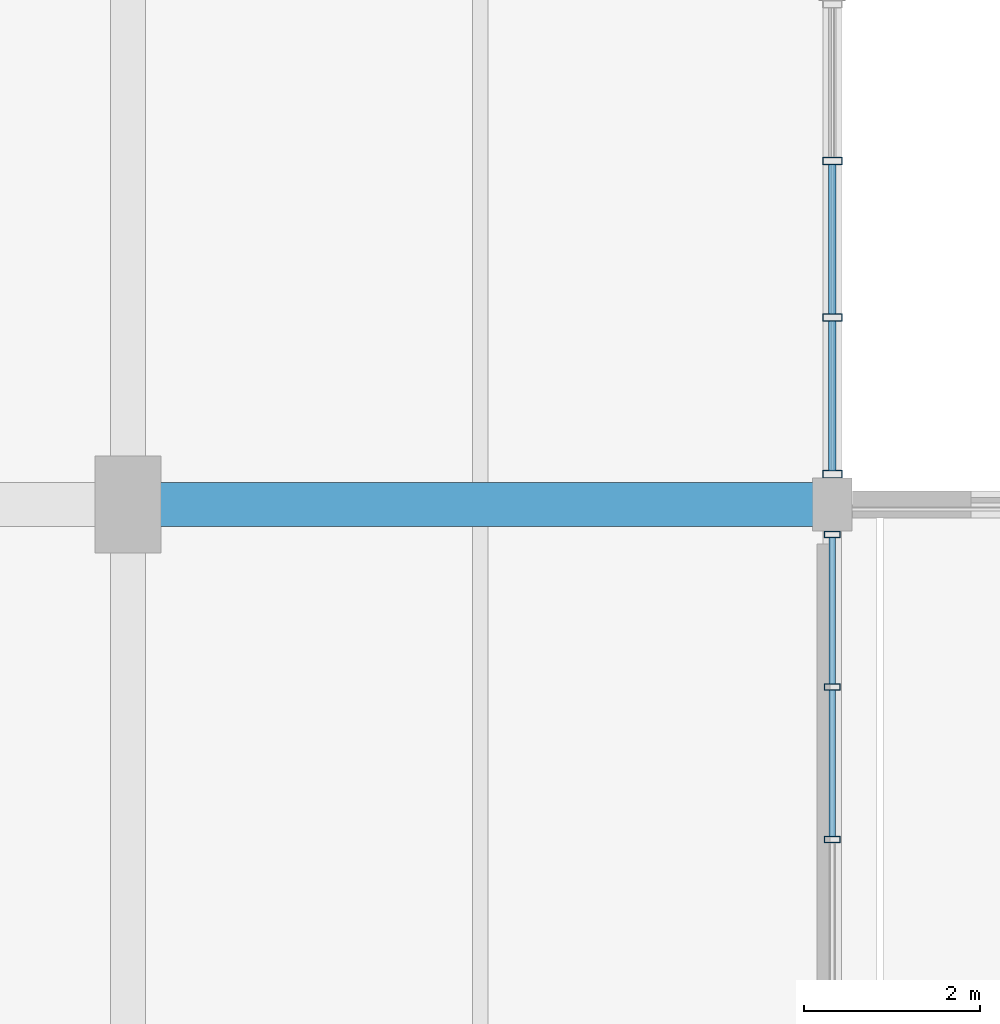
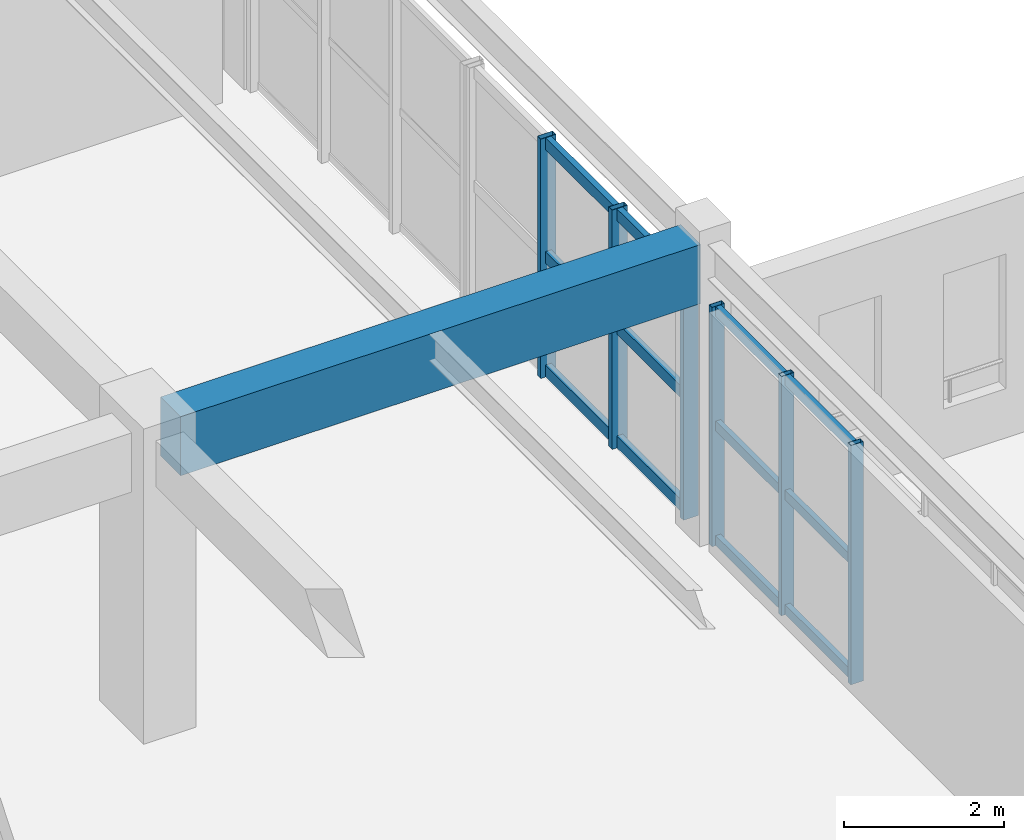
# One storey, part 19 of 106: 18 members, 1 beam, 2 elements without a shape of their own.
"""IFC4 building model written with IfcOpenShell, lengths in metres."""

from ifc_helpers import new_model, si_unit, direction, frame, origin, origin_2d, place, context, subcontext, project, spatial, rectangle, hollow_rectangle, extrude, material, layer, layer_set, material_profile, profile_set, type_object, element, aggregate, save


model = new_model("IFC4")

# Units and contexts
model_context = context("Model", 3, precision=1e-05, world=origin(), true_north=direction((0.0, 1.0)))
body_context = subcontext(model_context, "Body", "Model", "MODEL_VIEW")
ifc_project = project(units=[si_unit("LENGTHUNIT", "METRE"), si_unit("AREAUNIT", "SQUARE_METRE"), si_unit("VOLUMEUNIT", "CUBIC_METRE"), si_unit("PLANEANGLEUNIT", "RADIAN"), si_unit("MASSUNIT", "GRAM", prefix="KILO"), si_unit("POWERUNIT", "WATT"), si_unit("THERMODYNAMICTEMPERATUREUNIT", "KELVIN")], contexts=[model_context])

# Site, building, storey
site_placement = place(None, origin())
site = spatial("IfcSite", under=ifc_project, at=site_placement, CompositionType="ELEMENT")
building_placement = place(site_placement, origin())
building = spatial("IfcBuilding", under=site, at=building_placement, Name="Kelmbourne Parkland Aquatics Centre", CompositionType="ELEMENT")
storey_placement = place(building_placement, frame((0.0, 0.0, 5.39990234375)))
storey = spatial("IfcBuildingStorey", under=building, at=storey_placement, Name="L01", CompositionType="ELEMENT", Elevation=5.39990234375)

# Beam
ifc_material_1 = material(Name="Concrete C40/50", Category="concrete")
ifc_material_profile_1 = material_profile(ifc_material_1, rectangle(XDim=0.5, YDim=0.89990234375, at=origin_2d()), Name="RC 500x900")
ifc_profile_set_1 = profile_set([ifc_material_profile_1], Name="Concrete C40/50")
beam_type = type_object("IfcBeamType", Name="BM-G03", PredefinedType="BEAM", material=ifc_profile_set_1)
beam_placement = place(storey_placement, frame((32.330078125, 12.199951171875, 4.110107421875), z_axis=(1.0, 0.0, 0.0), x_axis=(0.0, 1.0, 0.0)))
element("IfcBeam", 1, at=beam_placement, inside=storey, type_object=beam_type, Name="Primary girder E-F Grid 03 (L02)", PredefinedType="BEAM", context=body_context, shape_type="SweptSolid", body=[
    extrude(rectangle(XDim=0.5, YDim=0.89990234375, at=origin_2d()), origin(), (0.0, 0.0, 1.0), 7.489990234375),
])

# Curtain wall, members
ifc_material_2 = material(Name="Thermally broken anodised aluminium framing", Category="aluminium")
ifc_layer_1 = layer(ifc_material_2, 0.179931640625)
ifc_layer_set_1 = layer_set([ifc_layer_1], Name="Thermally broken anodised aluminium framing")
curtain_wall_type_1 = type_object("IfcCurtainWallType", Name="CW-10", PredefinedType="NOTDEFINED", material=ifc_layer_set_1)
curtain_wall_1_placement = place(storey_placement, origin())
curtain_wall_1 = element("IfcCurtainWall", 2, at=curtain_wall_1_placement, inside=storey, type_object=curtain_wall_type_1, Name="Facade curtain wall CW-L01-226", PredefinedType="NOTDEFINED")
ifc_material_profile_2 = material_profile(ifc_material_2, hollow_rectangle(XDim=0.074951171875, YDim=0.179931640625, WallThickness=0.00439453125, at=origin_2d()), Name="CW-M 75x180")
ifc_profile_set_2 = profile_set([ifc_material_profile_2], Name="Thermally broken anodised aluminium framing")
member_type_1 = type_object("IfcMemberType", Name="MB-MUL-2", PredefinedType="MULLION", material=ifc_profile_set_2)
member_1_placement = place(storey_placement, frame((40.0, 8.395263671875, 0.0), z_axis=(0.0, 0.0, 1.0), x_axis=(0.0, 1.0, 0.0)))
member_1 = element("IfcMember", 3, at=member_1_placement, type_object=member_type_1, Name="CW-L01-226 mullion 1", PredefinedType="MULLION", context=body_context, shape_type="SweptSolid", body=[
    extrude(hollow_rectangle(XDim=0.074951171875, YDim=0.179931640625, WallThickness=0.00439453125, at=origin_2d()), origin(), (0.0, 0.0, 1.0), 3.64501953125),
])
member_2_placement = place(storey_placement, frame((40.0, 10.127685546875, 0.0), z_axis=(0.0, 0.0, 1.0), x_axis=(0.0, 1.0, 0.0)))
member_2 = element("IfcMember", 4, at=member_2_placement, type_object=member_type_1, Name="CW-L01-226 mullion 2", PredefinedType="MULLION", context=body_context, shape_type="SweptSolid", body=[
    extrude(hollow_rectangle(XDim=0.074951171875, YDim=0.179931640625, WallThickness=0.00439453125, at=origin_2d()), origin(), (0.0, 0.0, 1.0), 3.64501953125),
])
member_3_placement = place(storey_placement, frame((40.0, 11.860595703125, 0.0), z_axis=(0.0, 0.0, 1.0), x_axis=(0.0, 1.0, 0.0)))
member_3 = element("IfcMember", 5, at=member_3_placement, type_object=member_type_1, Name="CW-L01-226 mullion 3", PredefinedType="MULLION", context=body_context, shape_type="SweptSolid", body=[
    extrude(hollow_rectangle(XDim=0.074951171875, YDim=0.179931640625, WallThickness=0.00439453125, at=origin_2d()), origin(), (0.0, 0.0, 1.0), 3.64501953125),
])

ifc_layer_2 = layer(ifc_material_2, 0.179931640625)
ifc_layer_set_2 = layer_set([ifc_layer_2], Name="Thermally broken anodised aluminium framing")
curtain_wall_type_2 = type_object("IfcCurtainWallType", Name="CW-11", PredefinedType="NOTDEFINED", material=ifc_layer_set_2)
curtain_wall_2_placement = place(storey_placement, origin())
curtain_wall_2 = element("IfcCurtainWall", 6, at=curtain_wall_2_placement, inside=storey, type_object=curtain_wall_type_2, Name="Facade curtain wall CW-L01-227", PredefinedType="NOTDEFINED")
ifc_material_profile_3 = material_profile(ifc_material_2, hollow_rectangle(XDim=0.0849609375, YDim=0.219970703125, WallThickness=0.0048828125, at=origin_2d()), Name="CW-M 85x220")
ifc_profile_set_3 = profile_set([ifc_material_profile_3], Name="Thermally broken anodised aluminium framing")
member_type_2 = type_object("IfcMemberType", Name="MB-MUL-3", PredefinedType="MULLION", material=ifc_profile_set_3)
member_4_placement = place(storey_placement, frame((40.0, 12.54443359375, 0.0), z_axis=(0.0, 0.0, 1.0), x_axis=(0.0, 1.0, 0.0)))
member_4 = element("IfcMember", 7, at=member_4_placement, type_object=member_type_2, Name="CW-L01-227 mullion 0", PredefinedType="MULLION", context=body_context, shape_type="SweptSolid", body=[
    extrude(hollow_rectangle(XDim=0.0849609375, YDim=0.219970703125, WallThickness=0.0048828125, at=origin_2d()), origin(), (0.0, 0.0, 1.0), 3.64501953125),
])
member_5_placement = place(storey_placement, frame((40.0, 14.32373046875, 0.0), z_axis=(0.0, 0.0, 1.0), x_axis=(0.0, 1.0, 0.0)))
member_5 = element("IfcMember", 8, at=member_5_placement, type_object=member_type_2, Name="CW-L01-227 mullion 1", PredefinedType="MULLION", context=body_context, shape_type="SweptSolid", body=[
    extrude(hollow_rectangle(XDim=0.0849609375, YDim=0.219970703125, WallThickness=0.0048828125, at=origin_2d()), origin(), (0.0, 0.0, 1.0), 3.64501953125),
])
member_6_placement = place(storey_placement, frame((40.0, 16.103271484375, 0.0), z_axis=(0.0, 0.0, 1.0), x_axis=(0.0, 1.0, 0.0)))
member_6 = element("IfcMember", 9, at=member_6_placement, type_object=member_type_2, Name="CW-L01-227 mullion 2", PredefinedType="MULLION", context=body_context, shape_type="SweptSolid", body=[
    extrude(hollow_rectangle(XDim=0.0849609375, YDim=0.219970703125, WallThickness=0.0048828125, at=origin_2d()), origin(), (0.0, 0.0, 1.0), 3.64501953125),
])

# Member
ifc_material_profile_4 = material_profile(ifc_material_2, hollow_rectangle(XDim=0.074951171875, YDim=0.14990234375, WallThickness=0.00390625, at=origin_2d()), Name="CW-T 75x150")
ifc_profile_set_4 = profile_set([ifc_material_profile_4], Name="Thermally broken anodised aluminium framing")
member_type_3 = type_object("IfcMemberType", Name="MB-TRN-2", PredefinedType="USERDEFINED", material=ifc_profile_set_4)
member_7_placement = place(storey_placement, frame((40.0, 8.4287109375, 0.078125), z_axis=(0.0, 1.0, 0.0), x_axis=(-1.0, 0.0, 0.0)))
member_7 = element("IfcMember", 10, at=member_7_placement, type_object=member_type_3, Name="CW-L01-226 transom 0-1", ObjectType="TRANSOM", PredefinedType="USERDEFINED", context=body_context, shape_type="SweptSolid", body=[
    extrude(hollow_rectangle(XDim=0.074951171875, YDim=0.14990234375, WallThickness=0.00390625, at=origin_2d()), origin(), (0.0, 0.0, 1.0), 1.66552734375),
])

member_8_placement = place(storey_placement, frame((40.0, 10.161376953125, 0.078125), z_axis=(0.0, 1.0, 0.0), x_axis=(-1.0, 0.0, 0.0)))
member_8 = element("IfcMember", 11, at=member_8_placement, type_object=member_type_3, Name="CW-L01-226 transom 0-2", ObjectType="TRANSOM", PredefinedType="USERDEFINED", context=body_context, shape_type="SweptSolid", body=[
    extrude(hollow_rectangle(XDim=0.074951171875, YDim=0.14990234375, WallThickness=0.00390625, at=origin_2d()), origin(), (0.0, 0.0, 1.0), 1.66552734375),
])

member_9_placement = place(storey_placement, frame((40.0, 8.4287109375, 1.822509765625), z_axis=(0.0, 1.0, 0.0), x_axis=(-1.0, 0.0, 0.0)))
member_9 = element("IfcMember", 12, at=member_9_placement, type_object=member_type_3, Name="CW-L01-226 transom 1-1", ObjectType="TRANSOM", PredefinedType="USERDEFINED", context=body_context, shape_type="SweptSolid", body=[
    extrude(hollow_rectangle(XDim=0.074951171875, YDim=0.14990234375, WallThickness=0.00390625, at=origin_2d()), origin(), (0.0, 0.0, 1.0), 1.66552734375),
])

member_10_placement = place(storey_placement, frame((40.0, 10.161376953125, 1.822509765625), z_axis=(0.0, 1.0, 0.0), x_axis=(-1.0, 0.0, 0.0)))
member_10 = element("IfcMember", 13, at=member_10_placement, type_object=member_type_3, Name="CW-L01-226 transom 1-2", ObjectType="TRANSOM", PredefinedType="USERDEFINED", context=body_context, shape_type="SweptSolid", body=[
    extrude(hollow_rectangle(XDim=0.074951171875, YDim=0.14990234375, WallThickness=0.00390625, at=origin_2d()), origin(), (0.0, 0.0, 1.0), 1.66552734375),
])

member_11_placement = place(storey_placement, frame((40.0, 8.4287109375, 3.567138671875), z_axis=(0.0, 1.0, 0.0), x_axis=(-1.0, 0.0, 0.0)))
member_11 = element("IfcMember", 14, at=member_11_placement, type_object=member_type_3, Name="CW-L01-226 transom 2-1", ObjectType="TRANSOM", PredefinedType="USERDEFINED", context=body_context, shape_type="SweptSolid", body=[
    extrude(hollow_rectangle(XDim=0.074951171875, YDim=0.14990234375, WallThickness=0.00390625, at=origin_2d()), origin(), (0.0, 0.0, 1.0), 1.66552734375),
])

member_12_placement = place(storey_placement, frame((40.0, 10.161376953125, 3.567138671875), z_axis=(0.0, 1.0, 0.0), x_axis=(-1.0, 0.0, 0.0)))
member_12 = element("IfcMember", 15, at=member_12_placement, type_object=member_type_3, Name="CW-L01-226 transom 2-2", ObjectType="TRANSOM", PredefinedType="USERDEFINED", context=body_context, shape_type="SweptSolid", body=[
    extrude(hollow_rectangle(XDim=0.074951171875, YDim=0.14990234375, WallThickness=0.00390625, at=origin_2d()), origin(), (0.0, 0.0, 1.0), 1.66552734375),
])

aggregate(curtain_wall_1, [member_1, member_2, member_3, member_7, member_8, member_9, member_10, member_11, member_12])

ifc_material_profile_5 = material_profile(ifc_material_2, hollow_rectangle(XDim=0.0849609375, YDim=0.179931640625, WallThickness=0.00439453125, at=origin_2d()), Name="CW-T 85x180")
ifc_profile_set_5 = profile_set([ifc_material_profile_5], Name="Thermally broken anodised aluminium framing")
member_type_4 = type_object("IfcMemberType", Name="MB-TRN-3", PredefinedType="USERDEFINED", material=ifc_profile_set_5)
member_13_placement = place(storey_placement, frame((40.0, 12.5830078125, 0.093017578125), z_axis=(0.0, 1.0, 0.0), x_axis=(-1.0, 0.0, 0.0)))
member_13 = element("IfcMember", 16, at=member_13_placement, type_object=member_type_4, Name="CW-L01-227 transom 0-0", ObjectType="TRANSOM", PredefinedType="USERDEFINED", context=body_context, shape_type="SweptSolid", body=[
    extrude(hollow_rectangle(XDim=0.0849609375, YDim=0.179931640625, WallThickness=0.00439453125, at=origin_2d()), origin(), (0.0, 0.0, 1.0), 1.702392578125),
])

member_14_placement = place(storey_placement, frame((40.0, 14.3623046875, 0.093017578125), z_axis=(0.0, 1.0, 0.0), x_axis=(-1.0, 0.0, 0.0)))
member_14 = element("IfcMember", 17, at=member_14_placement, type_object=member_type_4, Name="CW-L01-227 transom 0-1", ObjectType="TRANSOM", PredefinedType="USERDEFINED", context=body_context, shape_type="SweptSolid", body=[
    extrude(hollow_rectangle(XDim=0.0849609375, YDim=0.179931640625, WallThickness=0.00439453125, at=origin_2d()), origin(), (0.0, 0.0, 1.0), 1.702392578125),
])

member_15_placement = place(storey_placement, frame((40.0, 12.5830078125, 1.822509765625), z_axis=(0.0, 1.0, 0.0), x_axis=(-1.0, 0.0, 0.0)))
member_15 = element("IfcMember", 18, at=member_15_placement, type_object=member_type_4, Name="CW-L01-227 transom 1-0", ObjectType="TRANSOM", PredefinedType="USERDEFINED", context=body_context, shape_type="SweptSolid", body=[
    extrude(hollow_rectangle(XDim=0.0849609375, YDim=0.179931640625, WallThickness=0.00439453125, at=origin_2d()), origin(), (0.0, 0.0, 1.0), 1.702392578125),
])

member_16_placement = place(storey_placement, frame((40.0, 14.3623046875, 1.822509765625), z_axis=(0.0, 1.0, 0.0), x_axis=(-1.0, 0.0, 0.0)))
member_16 = element("IfcMember", 19, at=member_16_placement, type_object=member_type_4, Name="CW-L01-227 transom 1-1", ObjectType="TRANSOM", PredefinedType="USERDEFINED", context=body_context, shape_type="SweptSolid", body=[
    extrude(hollow_rectangle(XDim=0.0849609375, YDim=0.179931640625, WallThickness=0.00439453125, at=origin_2d()), origin(), (0.0, 0.0, 1.0), 1.702392578125),
])

member_17_placement = place(storey_placement, frame((40.0, 12.5830078125, 3.552001953125), z_axis=(0.0, 1.0, 0.0), x_axis=(-1.0, 0.0, 0.0)))
member_17 = element("IfcMember", 20, at=member_17_placement, type_object=member_type_4, Name="CW-L01-227 transom 2-0", ObjectType="TRANSOM", PredefinedType="USERDEFINED", context=body_context, shape_type="SweptSolid", body=[
    extrude(hollow_rectangle(XDim=0.0849609375, YDim=0.179931640625, WallThickness=0.00439453125, at=origin_2d()), origin(), (0.0, 0.0, 1.0), 1.702392578125),
])

member_18_placement = place(storey_placement, frame((40.0, 14.3623046875, 3.552001953125), z_axis=(0.0, 1.0, 0.0), x_axis=(-1.0, 0.0, 0.0)))
member_18 = element("IfcMember", 21, at=member_18_placement, type_object=member_type_4, Name="CW-L01-227 transom 2-1", ObjectType="TRANSOM", PredefinedType="USERDEFINED", context=body_context, shape_type="SweptSolid", body=[
    extrude(hollow_rectangle(XDim=0.0849609375, YDim=0.179931640625, WallThickness=0.00439453125, at=origin_2d()), origin(), (0.0, 0.0, 1.0), 1.702392578125),
])

aggregate(curtain_wall_2, [member_4, member_5, member_6, member_13, member_14, member_15, member_16, member_17, member_18])

save(model, "model.ifc")
